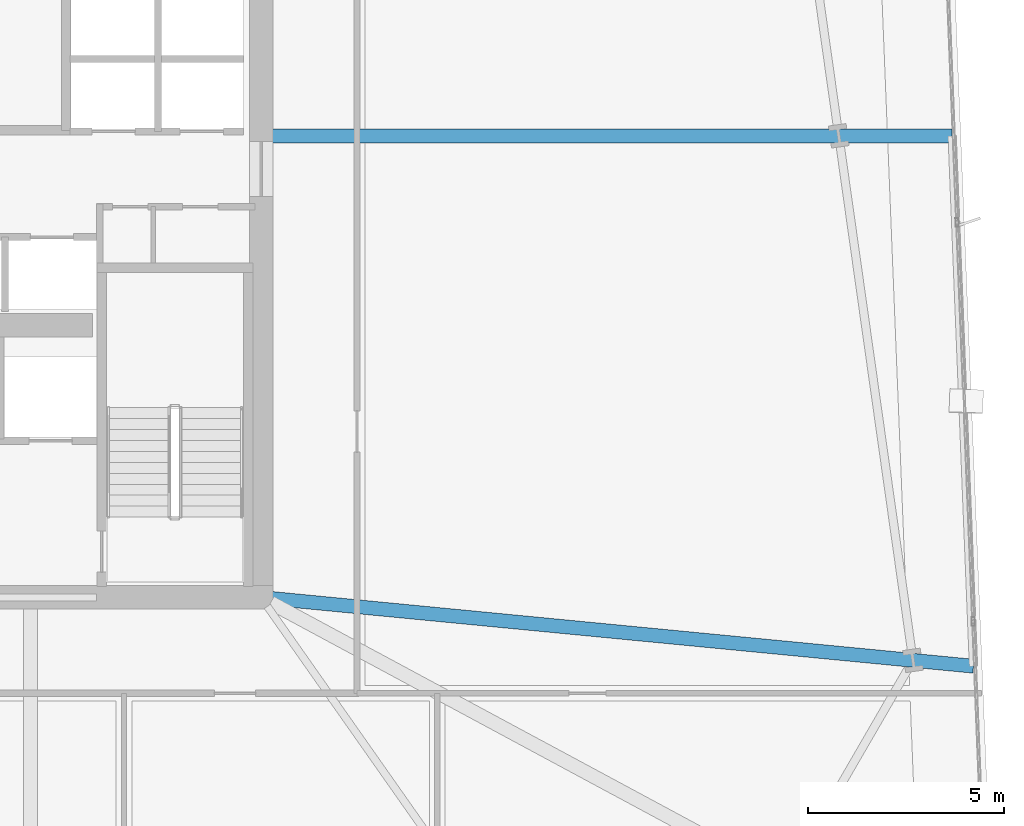
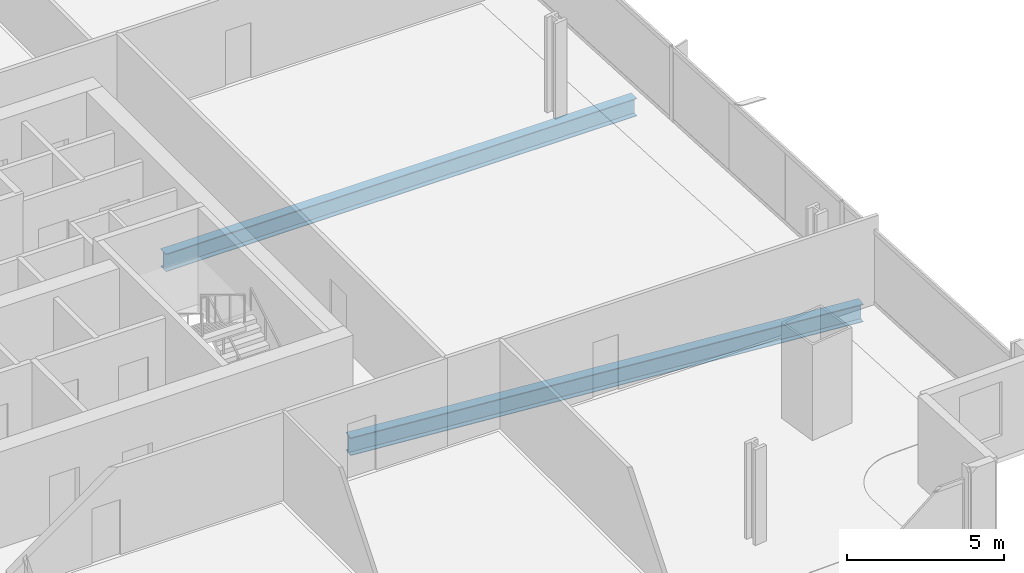
# One storey, part 12 of 32: 2 beams.
"""IFC4 building model written with IfcOpenShell, lengths in metres."""

from ifc_helpers import new_model, si_unit, direction, frame, origin, origin_2d, place, context, subcontext, project, spatial, i_section, extrude, material, material_profile, profile_set, type_object, element, save


model = new_model("IFC4")

# Units and contexts
model_context = context("Model", 3, precision=1e-05, world=origin(), true_north=direction((0.0, 1.0)))
body_context = subcontext(model_context, "Body", "Model", "MODEL_VIEW")
ifc_project = project(units=[si_unit("LENGTHUNIT", "METRE"), si_unit("AREAUNIT", "SQUARE_METRE"), si_unit("VOLUMEUNIT", "CUBIC_METRE"), si_unit("PLANEANGLEUNIT", "RADIAN"), si_unit("MASSUNIT", "GRAM", prefix="KILO")], contexts=[model_context])

# Site, building, storey
site_placement = place(None, origin())
site = spatial("IfcSite", under=ifc_project, at=site_placement, CompositionType="ELEMENT")
building_placement = place(site_placement, origin())
building = spatial("IfcBuilding", under=site, at=building_placement, Name="Haldenkirk Collegiate Tower", CompositionType="ELEMENT")
storey_placement = place(building_placement, frame((0.0, 0.0, 36.449951171875)))
storey = spatial("IfcBuildingStorey", under=building, at=storey_placement, Name="L07", CompositionType="ELEMENT", Elevation=36.449951171875)

# Beams
ifc_material = material(Name="Steel ASTM A992 Grade 50", Category="steel")
ifc_material_profile = material_profile(ifc_material, i_section(OverallWidth=0.35498046875, OverallDepth=0.696044921875, WebThickness=0.015380859375, FlangeThickness=0.02490234375, at=origin_2d()), Name="W27X146")
ifc_profile_set = profile_set([ifc_material_profile], Name="Steel ASTM A992 Grade 50")
beam_type = type_object("IfcBeamType", Name="BM-GIRDER-W27X146", PredefinedType="BEAM", material=ifc_profile_set)
beam_1_placement = place(storey_placement, frame((63.193603515625, 16.243896484375, -0.657958984375), z_axis=(-0.995373645063, 0.096079689393, 0.0), x_axis=(-0.096079689393, -0.995373645063, 0.0)))
element("IfcBeam", 1, at=beam_1_placement, inside=storey, type_object=beam_type, Name="L07 primary floor girder 08", PredefinedType="BEAM", context=body_context, shape_type="SweptSolid", body=[
    extrude(i_section(OverallWidth=0.35498046875, OverallDepth=0.696044921875, WebThickness=0.015380859375, FlangeThickness=0.02490234375, at=origin_2d()), origin(), (0.0, 0.0, 1.0), 17.998046875),
])
beam_2_placement = place(storey_placement, frame((62.6494140625, 29.788818359375, -0.657958984375), z_axis=(-1.0, 0.0, 0.0), x_axis=(0.0, -1.0, 0.0)))
element("IfcBeam", 2, at=beam_2_placement, inside=storey, type_object=beam_type, Name="L07 primary floor girder 09", PredefinedType="BEAM", context=body_context, shape_type="SweptSolid", body=[
    extrude(i_section(OverallWidth=0.35498046875, OverallDepth=0.696044921875, WebThickness=0.015380859375, FlangeThickness=0.02490234375, at=origin_2d()), origin(), (0.0, 0.0, 1.0), 17.369384765625),
])

save(model, "model.ifc")
